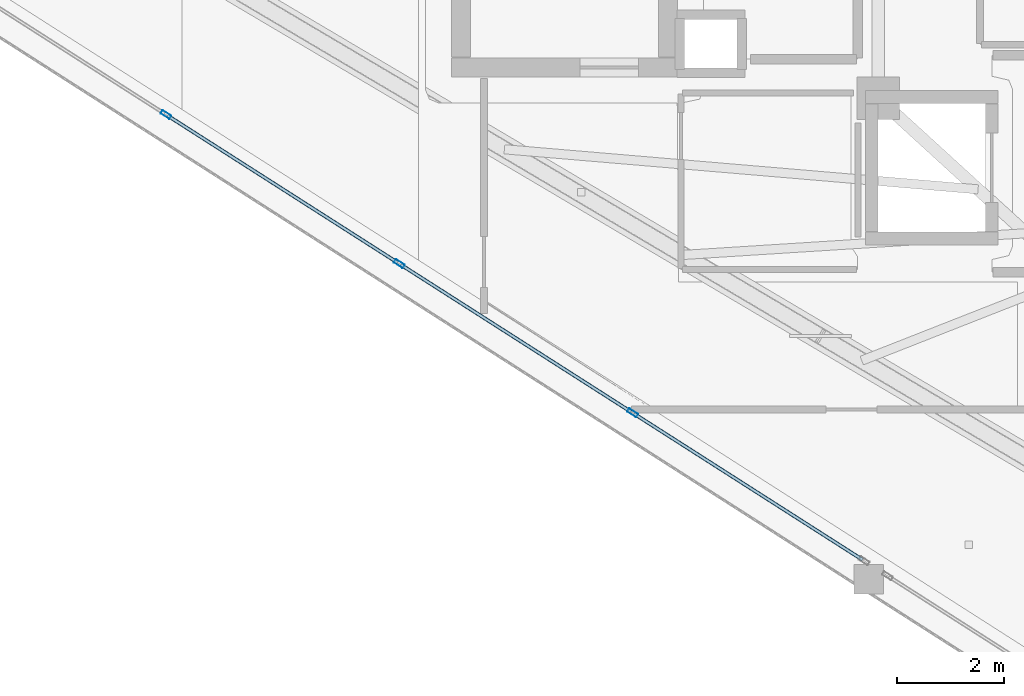
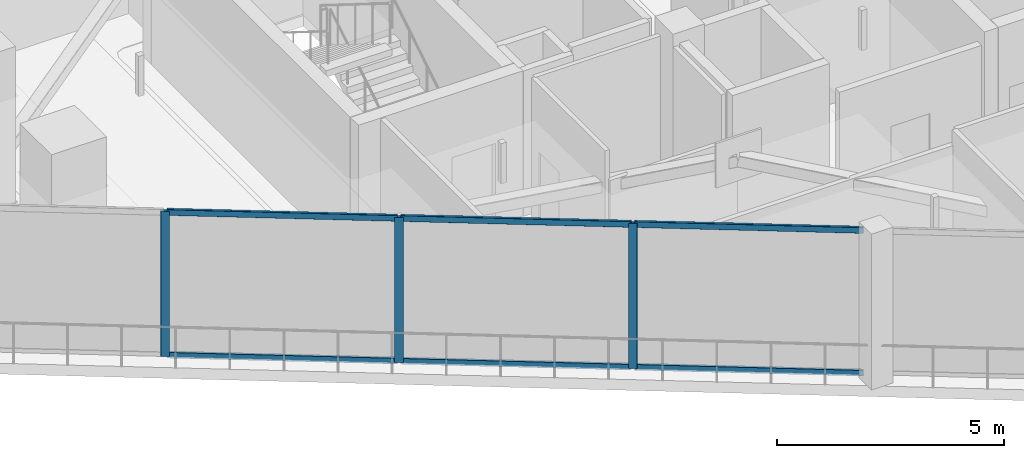
# One storey, part 2 of 25: 9 members, 1 element without a shape of its own.
"""IFC4 building model written with IfcOpenShell, lengths in metres."""

from ifc_helpers import new_model, si_unit, direction, frame, origin, origin_2d, place, context, subcontext, project, spatial, hollow_rectangle, extrude, material, layer, layer_set, material_profile, profile_set, type_object, element, aggregate, save


model = new_model("IFC4")

# Units and contexts
model_context = context("Model", 3, precision=1e-05, world=origin(), true_north=direction((0.0, 1.0)))
body_context = subcontext(model_context, "Body", "Model", "MODEL_VIEW")
ifc_project = project(units=[si_unit("LENGTHUNIT", "METRE"), si_unit("AREAUNIT", "SQUARE_METRE"), si_unit("VOLUMEUNIT", "CUBIC_METRE"), si_unit("PLANEANGLEUNIT", "RADIAN"), si_unit("MASSUNIT", "GRAM", prefix="KILO")], contexts=[model_context])

# Site, building, storey
site_placement = place(None, origin())
site = spatial("IfcSite", under=ifc_project, at=site_placement, CompositionType="ELEMENT")
building_placement = place(site_placement, origin())
building = spatial("IfcBuilding", under=site, at=building_placement, Name="Qorvath Tower", CompositionType="ELEMENT")
storey_placement = place(building_placement, frame((0.0, 0.0, 314.39990234375)))
storey = spatial("IfcBuildingStorey", under=building, at=storey_placement, Name="L73", CompositionType="ELEMENT", Elevation=314.39990234375)

# Curtain wall, members
ifc_material_1 = material(Name="Anodised aluminium and triple low-E glass", Category="aluminium")
ifc_layer = layer(ifc_material_1, 0.179931640625)
ifc_layer_set = layer_set([ifc_layer], Name="CW-SYS-4")
curtain_wall_type = type_object("IfcCurtainWallType", Name="CW-SYS-4", PredefinedType="NOTDEFINED", material=ifc_layer_set)
curtain_wall_placement = place(storey_placement, origin())
curtain_wall = element("IfcCurtainWall", 1, at=curtain_wall_placement, inside=storey, type_object=curtain_wall_type, Name="Curtain Wall CW-4 CW-T-L73-2.1", PredefinedType="NOTDEFINED")
ifc_material_2 = material(Name="Anodised aluminium 6063-T6", Category="aluminium")
ifc_material_profile_1 = material_profile(ifc_material_2, hollow_rectangle(XDim=0.074951171875, YDim=0.199951171875, WallThickness=0.00390625, InnerFilletRadius=0.00390625, OuterFilletRadius=0.008056640625, at=origin_2d()), Name="CWM 200x75")
ifc_profile_set_1 = profile_set([ifc_material_profile_1], Name="Anodised aluminium 6063-T6")
member_type_1 = type_object("IfcMemberType", Name="CWM-200", PredefinedType="MULLION", material=ifc_profile_set_1)
member_1_placement = place(storey_placement, frame((-43.79248046875, -5.455810546875, 0.0), z_axis=(0.0, 0.0, 1.0), x_axis=(0.538529844016, 0.842606436662, 0.0)))
member_1 = element("IfcMember", 2, at=member_1_placement, type_object=member_type_1, Name="CW-4 mullion 2", PredefinedType="MULLION", context=body_context, shape_type="SweptSolid", body=[
    extrude(hollow_rectangle(XDim=0.074951171875, YDim=0.199951171875, WallThickness=0.00390625, InnerFilletRadius=0.00390625, OuterFilletRadius=0.008056640625, at=origin_2d()), origin(), (0.0, 0.0, 1.0), 3.91015625),
])
member_2_placement = place(storey_placement, frame((-39.4384765625, -8.238525390625, 0.0), z_axis=(0.0, 0.0, 1.0), x_axis=(0.538529844016, 0.842606436662, 0.0)))
member_2 = element("IfcMember", 3, at=member_2_placement, type_object=member_type_1, Name="CW-4 mullion 3", PredefinedType="MULLION", context=body_context, shape_type="SweptSolid", body=[
    extrude(hollow_rectangle(XDim=0.074951171875, YDim=0.199951171875, WallThickness=0.00390625, InnerFilletRadius=0.00390625, OuterFilletRadius=0.008056640625, at=origin_2d()), origin(), (0.0, 0.0, 1.0), 3.91015625),
])
member_3_placement = place(storey_placement, frame((-35.084228515625, -11.021484375, 0.0), z_axis=(0.0, 0.0, 1.0), x_axis=(0.538529844016, 0.842606436662, 0.0)))
member_3 = element("IfcMember", 4, at=member_3_placement, type_object=member_type_1, Name="CW-4 mullion 4", PredefinedType="MULLION", context=body_context, shape_type="SweptSolid", body=[
    extrude(hollow_rectangle(XDim=0.074951171875, YDim=0.199951171875, WallThickness=0.00390625, InnerFilletRadius=0.00390625, OuterFilletRadius=0.008056640625, at=origin_2d()), origin(), (0.0, 0.0, 1.0), 3.91015625),
])
ifc_material_3 = material(Name="Anodised aluminium 6063-T6", Category="aluminium")
ifc_material_profile_2 = material_profile(ifc_material_3, hollow_rectangle(XDim=0.06494140625, YDim=0.159912109375, WallThickness=0.00341796875, InnerFilletRadius=0.00341796875, OuterFilletRadius=0.007080078125, at=origin_2d()), Name="CWT 160x65")
ifc_profile_set_2 = profile_set([ifc_material_profile_2], Name="Anodised aluminium 6063-T6")
member_type_2 = type_object("IfcMemberType", Name="CWT-160", PredefinedType="USERDEFINED", material=ifc_profile_set_2)
member_4_placement = place(storey_placement, frame((-43.760986328125, -5.475830078125, 0.032470703125), z_axis=(0.842611663034, -0.538521666526, 0.0), x_axis=(0.538521666526, 0.842611663034, 0.0)))
member_4 = element("IfcMember", 5, at=member_4_placement, type_object=member_type_2, Name="CW-4 transom 2.1", ObjectType="TRANSOM", PredefinedType="USERDEFINED", context=body_context, shape_type="SweptSolid", body=[
    extrude(hollow_rectangle(XDim=0.06494140625, YDim=0.159912109375, WallThickness=0.00341796875, InnerFilletRadius=0.00341796875, OuterFilletRadius=0.007080078125, at=origin_2d()), origin(), (0.0, 0.0, 1.0), 5.092529296875),
])
member_5_placement = place(storey_placement, frame((-43.760986328125, -5.475830078125, 3.877685546875), z_axis=(0.842611663034, -0.538521666526, 0.0), x_axis=(0.538521666526, 0.842611663034, 0.0)))
member_5 = element("IfcMember", 6, at=member_5_placement, type_object=member_type_2, Name="CW-4 transom 2.2", ObjectType="TRANSOM", PredefinedType="USERDEFINED", context=body_context, shape_type="SweptSolid", body=[
    extrude(hollow_rectangle(XDim=0.06494140625, YDim=0.159912109375, WallThickness=0.00341796875, InnerFilletRadius=0.00341796875, OuterFilletRadius=0.007080078125, at=origin_2d()), origin(), (0.0, 0.0, 1.0), 5.092529296875),
])
member_6_placement = place(storey_placement, frame((-39.40673828125, -8.2587890625, 0.032470703125), z_axis=(0.842597759024, -0.538543421173, 0.0), x_axis=(0.538543421173, 0.842597759024, 0.0)))
member_6 = element("IfcMember", 7, at=member_6_placement, type_object=member_type_2, Name="CW-4 transom 3.1", ObjectType="TRANSOM", PredefinedType="USERDEFINED", context=body_context, shape_type="SweptSolid", body=[
    extrude(hollow_rectangle(XDim=0.06494140625, YDim=0.159912109375, WallThickness=0.00341796875, InnerFilletRadius=0.00341796875, OuterFilletRadius=0.007080078125, at=origin_2d()), origin(), (0.0, 0.0, 1.0), 5.09228515625),
])
member_7_placement = place(storey_placement, frame((-39.40673828125, -8.2587890625, 3.877685546875), z_axis=(0.842597759024, -0.538543421173, 0.0), x_axis=(0.538543421173, 0.842597759024, 0.0)))
member_7 = element("IfcMember", 8, at=member_7_placement, type_object=member_type_2, Name="CW-4 transom 3.2", ObjectType="TRANSOM", PredefinedType="USERDEFINED", context=body_context, shape_type="SweptSolid", body=[
    extrude(hollow_rectangle(XDim=0.06494140625, YDim=0.159912109375, WallThickness=0.00341796875, InnerFilletRadius=0.00341796875, OuterFilletRadius=0.007080078125, at=origin_2d()), origin(), (0.0, 0.0, 1.0), 5.09228515625),
])
member_8_placement = place(storey_placement, frame((-35.052734375, -11.04150390625, 0.032470703125), z_axis=(0.842587898885, -0.5385588479, 0.0), x_axis=(0.5385588479, 0.842587898885, 0.0)))
member_8 = element("IfcMember", 9, at=member_8_placement, type_object=member_type_2, Name="CW-4 transom 4.1", ObjectType="TRANSOM", PredefinedType="USERDEFINED", context=body_context, shape_type="SweptSolid", body=[
    extrude(hollow_rectangle(XDim=0.06494140625, YDim=0.159912109375, WallThickness=0.00341796875, InnerFilletRadius=0.00341796875, OuterFilletRadius=0.007080078125, at=origin_2d()), origin(), (0.0, 0.0, 1.0), 5.054931640625),
])
member_9_placement = place(storey_placement, frame((-35.052734375, -11.04150390625, 3.877685546875), z_axis=(0.842587898885, -0.5385588479, 0.0), x_axis=(0.5385588479, 0.842587898885, 0.0)))
member_9 = element("IfcMember", 10, at=member_9_placement, type_object=member_type_2, Name="CW-4 transom 4.2", ObjectType="TRANSOM", PredefinedType="USERDEFINED", context=body_context, shape_type="SweptSolid", body=[
    extrude(hollow_rectangle(XDim=0.06494140625, YDim=0.159912109375, WallThickness=0.00341796875, InnerFilletRadius=0.00341796875, OuterFilletRadius=0.007080078125, at=origin_2d()), origin(), (0.0, 0.0, 1.0), 5.054931640625),
])
aggregate(curtain_wall, [member_1, member_2, member_3, member_4, member_5, member_6, member_7, member_8, member_9])

save(model, "model.ifc")
